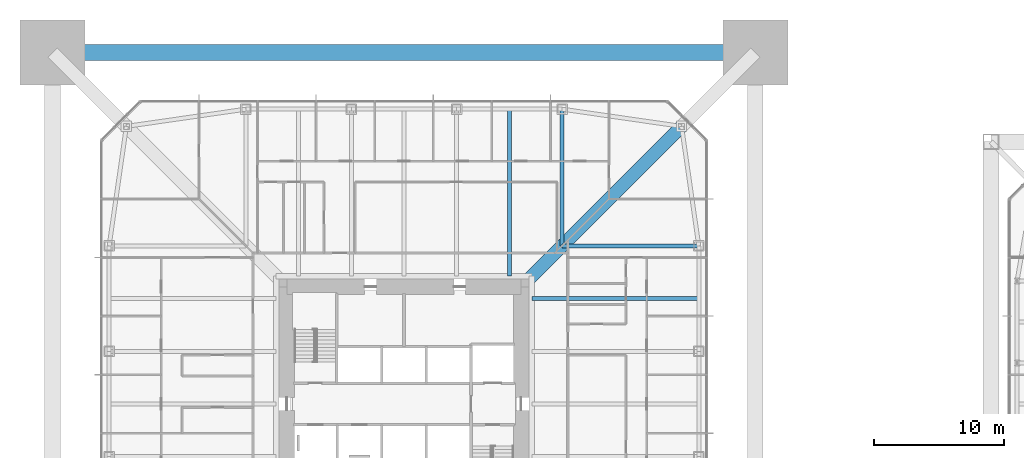
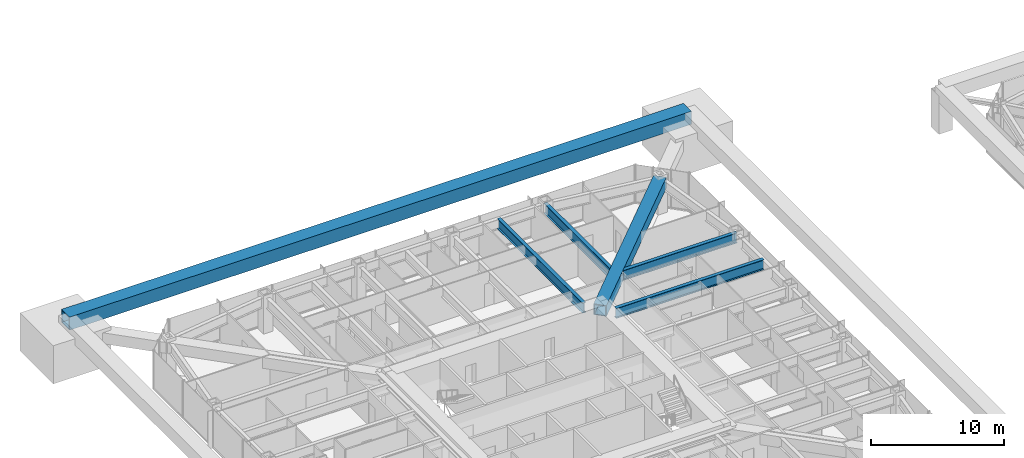
# One storey, part 11 of 32: 4 beams, 2 members.
"""IFC4 building model written with IfcOpenShell, lengths in metres."""

from ifc_helpers import new_model, si_unit, direction, frame, origin, origin_2d, place, context, subcontext, project, spatial, hollow_rectangle, i_section, extrude, material, material_profile, profile_set, type_object, element, save


model = new_model("IFC4")

# Units and contexts
model_context = context("Model", 3, precision=1e-05, world=origin(), true_north=direction((0.0, 1.0)))
body_context = subcontext(model_context, "Body", "Model", "MODEL_VIEW")
ifc_project = project(units=[si_unit("LENGTHUNIT", "METRE"), si_unit("AREAUNIT", "SQUARE_METRE"), si_unit("VOLUMEUNIT", "CUBIC_METRE"), si_unit("PLANEANGLEUNIT", "RADIAN"), si_unit("MASSUNIT", "GRAM", prefix="KILO")], contexts=[model_context])

# Site, building, storey
site_placement = place(None, origin())
site = spatial("IfcSite", under=ifc_project, at=site_placement, CompositionType="ELEMENT")
building_placement = place(site_placement, origin())
building = spatial("IfcBuilding", under=site, at=building_placement, Name="Iwan Alto Co-Living Towers", CompositionType="ELEMENT")
storey_placement = place(building_placement, frame((0.0, 0.0, 71.0)))
storey = spatial("IfcBuildingStorey", under=building, at=storey_placement, Name="L19", CompositionType="ELEMENT", Elevation=71.0)

# Members
ifc_material_1 = material(Name="Steel ASTM A572 Gr 50", Category="steel")
ifc_material_profile_1 = material_profile(ifc_material_1, hollow_rectangle(XDim=1.199951171875, YDim=1.199951171875, WallThickness=0.070068359375, at=origin_2d()), Name="BOX 1200X1200X70")
ifc_profile_set_1 = profile_set([ifc_material_profile_1], Name="Steel ASTM A572 Gr 50")
member_type_1 = type_object("IfcMemberType", Name="T1 MEGA BELT TIE BOX 1200X1200X70", PredefinedType="STRUT", material=ifc_profile_set_1)
member_1_placement = place(storey_placement, frame((27.0, 27.0, 3.5), z_axis=(-1.0, 0.0, 0.0), x_axis=(0.0, -1.0, 0.0)))
element("IfcMember", 1, at=member_1_placement, inside=storey, type_object=member_type_1, Name="T1 mega belt tie N L20", PredefinedType="STRUT", context=body_context, shape_type="SweptSolid", body=[
    extrude(hollow_rectangle(XDim=1.199951171875, YDim=1.199951171875, WallThickness=0.070068359375, at=origin_2d()), origin(), (0.0, 0.0, 1.0), 54.0),
])
ifc_material_2 = material(Name="Steel ASTM A572 Gr 50", Category="steel")
ifc_material_profile_2 = material_profile(ifc_material_2, hollow_rectangle(XDim=1.0, YDim=1.0, WallThickness=0.070068359375, at=origin_2d()), Name="BOX 1000X1000X70")
ifc_profile_set_2 = profile_set([ifc_material_profile_2], Name="Steel ASTM A572 Gr 50")
member_type_2 = type_object("IfcMemberType", Name="T1 OUTRIGGER CHORD BOX 1000X1000X70", PredefinedType="CHORD", material=ifc_profile_set_2)
member_2_placement = place(storey_placement, frame((9.0, 9.0, 2.699951171875), z_axis=(0.707106781187, 0.707106781187, 0.0), x_axis=(-0.707106781187, 0.707106781187, 0.0)))
element("IfcMember", 2, at=member_2_placement, inside=storey, type_object=member_type_2, Name="T1 outrigger NE L20 bottom chord 1", PredefinedType="CHORD", context=body_context, shape_type="SweptSolid", body=[
    extrude(hollow_rectangle(XDim=1.0, YDim=1.0, WallThickness=0.070068359375, at=origin_2d()), origin(), (0.0, 0.0, 1.0), 17.43115234375),
])

# Beams
ifc_material_3 = material(Name="Steel ASTM A992 Gr 50", Category="steel")
ifc_material_profile_3 = material_profile(ifc_material_3, i_section(OverallWidth=0.307373046875, OverallDepth=0.927001953125, WebThickness=0.01953125, FlangeThickness=0.031982421875, at=origin_2d()), Name="W36X194")
ifc_profile_set_3 = profile_set([ifc_material_profile_3], Name="Steel ASTM A992 Gr 50")
beam_type_1 = type_object("IfcBeamType", Name="T1 RADIAL BEAM W36X194", PredefinedType="BEAM", material=ifc_profile_set_3)
for number, where, z_axis, x_axis, name in (
    (3, (22.64990234375, 12.14990234375, 2.736328125), (-1.0, 0.0, 0.0), (0.0, -1.0, 0.0), "T1 radial beam E4 L20"),
    (4, (12.14990234375, 22.64990234375, 2.736328125), (0.0, -1.0, 0.0), (1.0, 0.0, 0.0), "T1 radial beam N1 L20"),
):
    element("IfcBeam", number, at=place(storey_placement, frame(where, z_axis=z_axis, x_axis=x_axis)), inside=storey, type_object=beam_type_1, Name=name, PredefinedType="BEAM", context=body_context, shape_type="SweptSolid", body=[
        extrude(i_section(OverallWidth=0.307373046875, OverallDepth=0.927001953125, WebThickness=0.01953125, FlangeThickness=0.031982421875, at=origin_2d()), origin(), (0.0, 0.0, 1.0), 10.5),
    ])
ifc_material_4 = material(Name="Steel ASTM A992 Gr 50", Category="steel")
ifc_material_profile_4 = material_profile(ifc_material_4, i_section(OverallWidth=0.307373046875, OverallDepth=0.927001953125, WebThickness=0.01953125, FlangeThickness=0.031982421875, at=origin_2d()), Name="W36X194")
ifc_profile_set_4 = profile_set([ifc_material_profile_4], Name="Steel ASTM A992 Gr 50")
beam_type_2 = type_object("IfcBeamType", Name="T1 SECONDARY BEAM W36X194", PredefinedType="JOIST", material=ifc_profile_set_4)
for number, where, z_axis, x_axis, name in (
    (5, (22.64990234375, 8.10009765625, 2.736328125), (-1.0, 0.0, 0.0), (0.0, -1.0, 0.0), "T1 secondary beam E3 L20"),
    (6, (8.10009765625, 22.64990234375, 2.736328125), (0.0, -1.0, 0.0), (1.0, 0.0, 0.0), "T1 secondary beam N1 L20"),
):
    element("IfcBeam", number, at=place(storey_placement, frame(where, z_axis=z_axis, x_axis=x_axis)), inside=storey, type_object=beam_type_2, Name=name, PredefinedType="JOIST", context=body_context, shape_type="SweptSolid", body=[
        extrude(i_section(OverallWidth=0.307373046875, OverallDepth=0.927001953125, WebThickness=0.01953125, FlangeThickness=0.031982421875, at=origin_2d()), origin(), (0.0, 0.0, 1.0), 12.83154296875),
    ])

save(model, "model.ifc")
